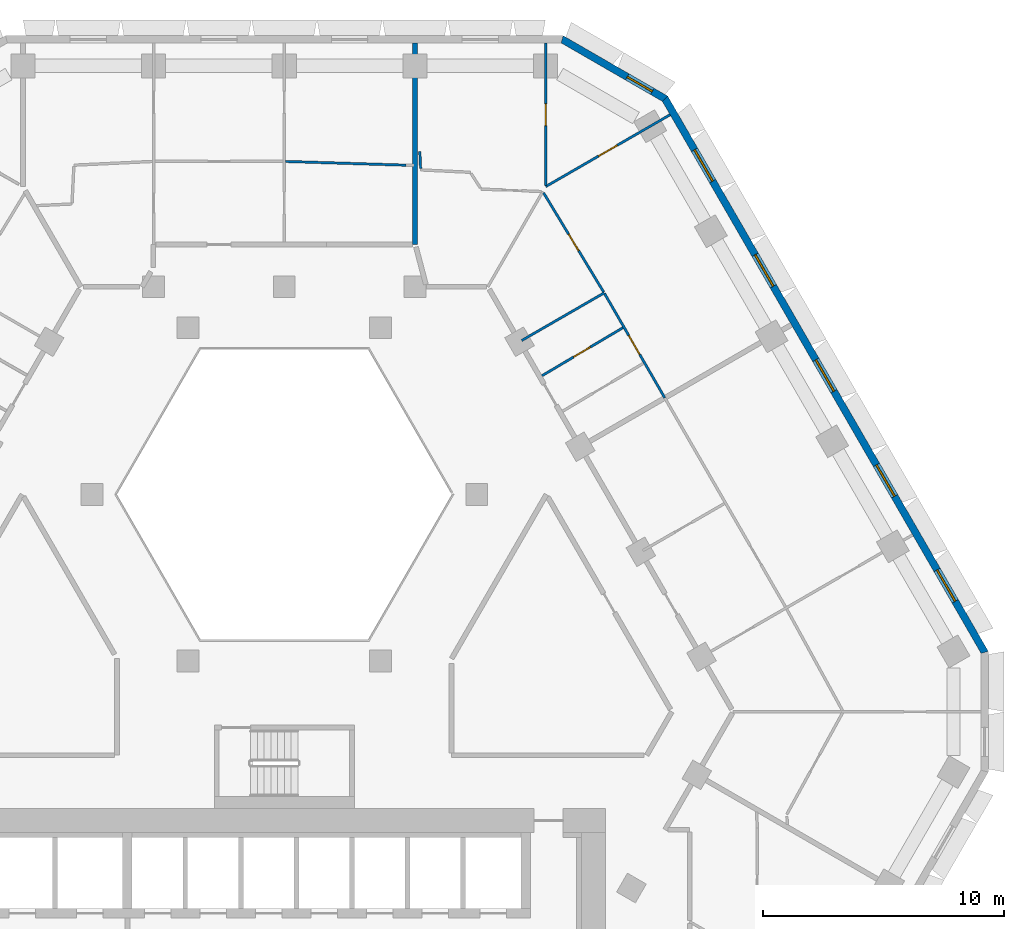
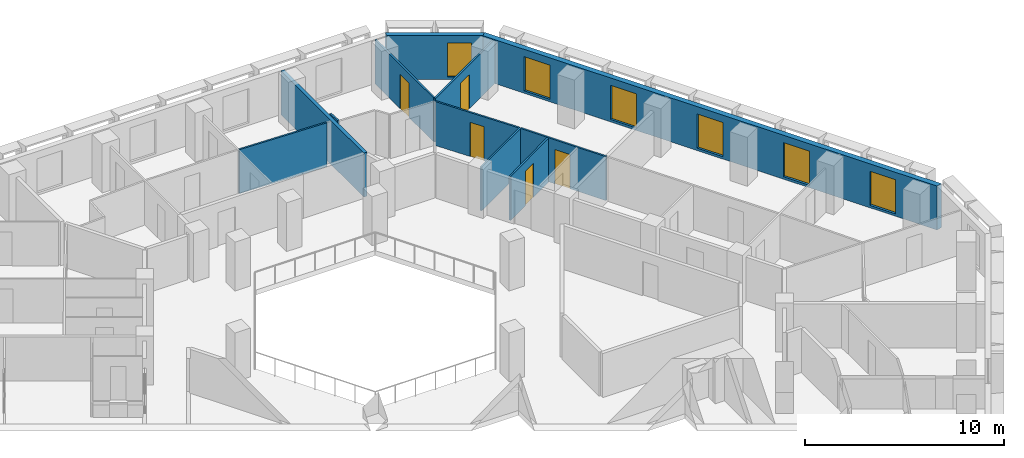
# One storey, part 9 of 15: 11 walls, 6 windows, 5 doors, 11 openings.
"""IFC4 building model written with IfcOpenShell, lengths in metres."""

from ifc_helpers import new_model, si_unit, direction, frame, frame_2d, origin, place, context, subcontext, project, spatial, polyline, rectangle, outline, extrude, material, layer, layer_set, type_object, element, fill, save


model = new_model("IFC4")

# Units and contexts
model_context = context("Model", 3, precision=1e-05, world=origin(), true_north=direction((0.0, 1.0)))
body_context = subcontext(model_context, "Body", "Model", "MODEL_VIEW")
ifc_project = project(units=[si_unit("LENGTHUNIT", "METRE"), si_unit("AREAUNIT", "SQUARE_METRE"), si_unit("VOLUMEUNIT", "CUBIC_METRE"), si_unit("PLANEANGLEUNIT", "RADIAN"), si_unit("MASSUNIT", "GRAM", prefix="KILO")], contexts=[model_context])

# Site, building, storey
site_placement = place(None, origin())
site = spatial("IfcSite", under=ifc_project, at=site_placement, CompositionType="ELEMENT")
building_placement = place(site_placement, origin())
building = spatial("IfcBuilding", under=site, at=building_placement, Name="Beryl Residences", CompositionType="ELEMENT")
storey_placement = place(building_placement, frame((0.0, 0.0, 102.0)))
storey = spatial("IfcBuildingStorey", under=building, at=storey_placement, Name="L31", CompositionType="ELEMENT", Elevation=102.0)

# Wall, openings, windows
ifc_material_1 = material(Name="Composite metal panel with mineral wool insulation")
ifc_layer_1 = layer(ifc_material_1, 0.300048828125)
ifc_layer_set_1 = layer_set([ifc_layer_1], Name="ES1 pale metal composite panel wall 300 mm")
wall_type_1 = type_object("IfcWallType", Name="ES1 pale metal composite panel wall 300 mm", PredefinedType="SOLIDWALL", material=ifc_layer_set_1)
wall_1_placement = place(storey_placement, frame((29.027099609375, 1.425048828125, 0.0), z_axis=(0.0, 0.0, 1.0), x_axis=(-0.500027479704, 0.866009537788, 0.0)))
wall_1 = element("IfcWall", 1, at=wall_1_placement, inside=storey, type_object=wall_type_1, Name="ES1 external wall L31 NE", PredefinedType="SOLIDWALL", context=body_context, shape_type="SweptSolid", body=[
    extrude(outline(polyline([(0.0, -0.14990234375), (26.55859375, -0.14990234375), (26.478271484375, 0.14990234375), (0.080322265625, 0.14990234375), (0.0, -0.14990234375)])), origin(), (0.0, 0.0, 1.0), 2.699951171875),
])
opening_1_placement = place(wall_1_placement, frame((2.48291015625, 0.0, 0.14990234375)))
opening_1 = element("IfcOpeningElement", 2, at=opening_1_placement, cuts=wall_1, Name="Opening W1", PredefinedType="OPENING", context=body_context, shape_type="SweptSolid", body=[
    extrude(rectangle(XDim=1.5, YDim=2.10009765625, at=frame_2d((0.75, 1.050048828125))), frame((0.0, 0.159912109375, 0.0), z_axis=(0.0, -1.0, 0.0), x_axis=(1.0, 0.0, 0.0)), (0.0, 0.0, 1.0), 0.320068359375),
])
opening_2_placement = place(wall_1_placement, frame((7.506103515625, 0.0, 0.14990234375)))
opening_2 = element("IfcOpeningElement", 3, at=opening_2_placement, cuts=wall_1, Name="Opening W1", PredefinedType="OPENING", context=body_context, shape_type="SweptSolid", body=[
    extrude(rectangle(XDim=1.5, YDim=2.10009765625, at=frame_2d((0.75, 1.050048828125))), frame((0.0, 0.159912109375, 0.0), z_axis=(0.0, -1.0, 0.0), x_axis=(1.0, 0.0, 0.0)), (0.0, 0.0, 1.0), 0.320068359375),
])
opening_3_placement = place(wall_1_placement, frame((12.529052734375, 0.0, 0.14990234375)))
opening_3 = element("IfcOpeningElement", 4, at=opening_3_placement, cuts=wall_1, Name="Opening W1", PredefinedType="OPENING", context=body_context, shape_type="SweptSolid", body=[
    extrude(rectangle(XDim=1.5, YDim=2.10009765625, at=frame_2d((0.75, 1.050048828125))), frame((0.0, 0.159912109375, 0.0), z_axis=(0.0, -1.0, 0.0), x_axis=(1.0, 0.0, 0.0)), (0.0, 0.0, 1.0), 0.320068359375),
])
opening_4_placement = place(wall_1_placement, frame((17.552001953125, 0.0, 0.14990234375)))
opening_4 = element("IfcOpeningElement", 5, at=opening_4_placement, cuts=wall_1, Name="Opening W1", PredefinedType="OPENING", context=body_context, shape_type="SweptSolid", body=[
    extrude(rectangle(XDim=1.5, YDim=2.10009765625, at=frame_2d((0.75, 1.050048828125))), frame((0.0, 0.159912109375, 0.0), z_axis=(0.0, -1.0, 0.0), x_axis=(1.0, 0.0, 0.0)), (0.0, 0.0, 1.0), 0.320068359375),
])
opening_5_placement = place(wall_1_placement, frame((22.574951171875, 0.0, 0.14990234375)))
opening_5 = element("IfcOpeningElement", 6, at=opening_5_placement, cuts=wall_1, Name="Opening W1", PredefinedType="OPENING", context=body_context, shape_type="SweptSolid", body=[
    extrude(rectangle(XDim=1.5, YDim=2.10009765625, at=frame_2d((0.75, 1.050048828125))), frame((0.0, 0.159912109375, 0.0), z_axis=(0.0, -1.0, 0.0), x_axis=(1.0, 0.0, 0.0)), (0.0, 0.0, 1.0), 0.320068359375),
])
ifc_material_2 = material(Name="Aluminium and clear glass", Category="aluminium")
window_type_1 = type_object("IfcWindowType", Name="W1 cell window 1500 x 2100 mm", PartitioningType="SINGLE_PANEL", PredefinedType="WINDOW", material=ifc_material_2)
window_1_placement = place(opening_1_placement, origin())
window_1 = element("IfcWindow", 7, at=window_1_placement, inside=storey, type_object=window_type_1, Name="W1 window L31 NE 2", OverallHeight=2.10009765625, OverallWidth=1.5, PartitioningType="SINGLE_PANEL", PredefinedType="WINDOW", context=body_context, shape_type="SweptSolid", body=[
    extrude(rectangle(XDim=1.5, YDim=2.10009765625, at=frame_2d((0.75, 1.050048828125))), frame((0.0, 0.030029296875, 0.0), z_axis=(0.0, -1.0, 0.0), x_axis=(1.0, 0.0, 0.0)), (0.0, 0.0, 1.0), 0.06005859375),
])
fill(opening_1, window_1)
window_2_placement = place(opening_2_placement, origin())
window_2 = element("IfcWindow", 8, at=window_2_placement, inside=storey, type_object=window_type_1, Name="W1 window L31 NE 4", OverallHeight=2.10009765625, OverallWidth=1.5, PartitioningType="SINGLE_PANEL", PredefinedType="WINDOW", context=body_context, shape_type="SweptSolid", body=[
    extrude(rectangle(XDim=1.5, YDim=2.10009765625, at=frame_2d((0.75, 1.050048828125))), frame((0.0, 0.030029296875, 0.0), z_axis=(0.0, -1.0, 0.0), x_axis=(1.0, 0.0, 0.0)), (0.0, 0.0, 1.0), 0.06005859375),
])
fill(opening_2, window_2)
window_3_placement = place(opening_3_placement, origin())
window_3 = element("IfcWindow", 9, at=window_3_placement, inside=storey, type_object=window_type_1, Name="W1 window L31 NE 6", OverallHeight=2.10009765625, OverallWidth=1.5, PartitioningType="SINGLE_PANEL", PredefinedType="WINDOW", context=body_context, shape_type="SweptSolid", body=[
    extrude(rectangle(XDim=1.5, YDim=2.10009765625, at=frame_2d((0.75, 1.050048828125))), frame((0.0, 0.030029296875, 0.0), z_axis=(0.0, -1.0, 0.0), x_axis=(1.0, 0.0, 0.0)), (0.0, 0.0, 1.0), 0.06005859375),
])
fill(opening_3, window_3)
window_4_placement = place(opening_4_placement, origin())
window_4 = element("IfcWindow", 10, at=window_4_placement, inside=storey, type_object=window_type_1, Name="W1 window L31 NE 8", OverallHeight=2.10009765625, OverallWidth=1.5, PartitioningType="SINGLE_PANEL", PredefinedType="WINDOW", context=body_context, shape_type="SweptSolid", body=[
    extrude(rectangle(XDim=1.5, YDim=2.10009765625, at=frame_2d((0.75, 1.050048828125))), frame((0.0, 0.030029296875, 0.0), z_axis=(0.0, -1.0, 0.0), x_axis=(1.0, 0.0, 0.0)), (0.0, 0.0, 1.0), 0.06005859375),
])
fill(opening_4, window_4)
window_5_placement = place(opening_5_placement, origin())
window_5 = element("IfcWindow", 11, at=window_5_placement, inside=storey, type_object=window_type_1, Name="W1 window L31 NE 10", OverallHeight=2.10009765625, OverallWidth=1.5, PartitioningType="SINGLE_PANEL", PredefinedType="WINDOW", context=body_context, shape_type="SweptSolid", body=[
    extrude(rectangle(XDim=1.5, YDim=2.10009765625, at=frame_2d((0.75, 1.050048828125))), frame((0.0, 0.030029296875, 0.0), z_axis=(0.0, -1.0, 0.0), x_axis=(1.0, 0.0, 0.0)), (0.0, 0.0, 1.0), 0.06005859375),
])
fill(opening_5, window_5)

# Wall, opening, window
wall_2_placement = place(storey_placement, frame((15.802001953125, 24.3701171875, 0.0), z_axis=(0.0, 0.0, 1.0), x_axis=(-0.866022959057, 0.500004234368, 0.0)))
wall_2 = element("IfcWall", 12, at=wall_2_placement, inside=storey, type_object=wall_type_1, Name="ES1 external wall L31 NE-N", PredefinedType="SOLIDWALL", context=body_context, shape_type="SweptSolid", body=[
    extrude(outline(polyline([(0.0, -0.14990234375), (5.0, -0.14990234375), (4.919677734375, 0.14990234375), (0.080322265625, 0.14990234375), (0.0, -0.14990234375)])), origin(), (0.0, 0.0, 1.0), 2.699951171875),
])
opening_6_placement = place(wall_2_placement, frame((0.64990234375, 0.0, 0.14990234375)))
opening_6 = element("IfcOpeningElement", 13, at=opening_6_placement, cuts=wall_2, Name="Opening W2", PredefinedType="OPENING", context=body_context, shape_type="SweptSolid", body=[
    extrude(rectangle(XDim=1.199951171875, YDim=2.10009765625, at=frame_2d((0.60009765625, 1.050048828125))), frame((0.0, 0.159912109375, 0.0), z_axis=(0.0, -1.0, 0.0), x_axis=(1.0, 0.0, 0.0)), (0.0, 0.0, 1.0), 0.320068359375),
])
ifc_material_3 = material(Name="Aluminium and clear glass", Category="aluminium")
window_type_2 = type_object("IfcWindowType", Name="W2 chamfer window 1200 x 2100 mm", PartitioningType="SINGLE_PANEL", PredefinedType="WINDOW", material=ifc_material_3)
window_6_placement = place(opening_6_placement, origin())
window_6 = element("IfcWindow", 14, at=window_6_placement, inside=storey, type_object=window_type_2, Name="W2 window L31 NE-N 1", OverallHeight=2.10009765625, OverallWidth=1.199951171875, PartitioningType="SINGLE_PANEL", PredefinedType="WINDOW", context=body_context, shape_type="SweptSolid", body=[
    extrude(rectangle(XDim=1.199951171875, YDim=2.10009765625, at=frame_2d((0.60009765625, 1.050048828125))), frame((0.0, 0.030029296875, 0.0), z_axis=(0.0, -1.0, 0.0), x_axis=(1.0, 0.0, 0.0)), (0.0, 0.0, 1.0), 0.06005859375),
])
fill(opening_6, window_6)

# Wall, opening, door
ifc_material_4 = material(Name="Gypsum board partition on steel studs", Category="steel")
ifc_layer_2 = layer(ifc_material_4, 0.10009765625)
ifc_layer_set_2 = layer_set([ifc_layer_2], Name="PT1 partition 100 mm gypsum board on steel studs")
wall_type_2 = type_object("IfcWallType", Name="PT1 partition 100 mm gypsum board on steel studs", PredefinedType="PARTITIONING", material=ifc_layer_set_2)
wall_3_placement = place(storey_placement, frame((10.738037109375, 20.491943359375, 0.0), z_axis=(0.0, 0.0, 1.0), x_axis=(0.518026330534, -0.85536467128, 0.0)))
wall_3 = element("IfcWall", 15, at=wall_3_placement, inside=storey, type_object=wall_type_2, Name="Wall PT1 L31 002", PredefinedType="PARTITIONING", context=body_context, shape_type="SweptSolid", body=[
    extrude(rectangle(XDim=4.814208984375, YDim=0.10009765625, at=frame_2d((2.4072265625, 0.0))), origin(), (0.0, 0.0, 1.0), 2.699951171875),
])
opening_7_placement = place(wall_3_placement, frame((2.001953125, 0.0, 0.0)))
opening_7 = element("IfcOpeningElement", 16, at=opening_7_placement, cuts=wall_3, Name="Opening D0928", PredefinedType="OPENING", context=body_context, shape_type="SweptSolid", body=[
    extrude(rectangle(XDim=0.800048828125, YDim=2.10009765625, at=frame_2d((0.39990234375, 1.050048828125))), frame((0.0, 0.06005859375, 0.0), z_axis=(0.0, -1.0, 0.0), x_axis=(1.0, 0.0, 0.0)), (0.0, 0.0, 1.0), 0.1201171875),
])
ifc_material_5 = material(Name="Timber door leaf", Category="wood")
door_type_1 = type_object("IfcDoorType", Name="D3 bathroom door 800 x 2100 mm", OperationType="SINGLE_SWING_LEFT", PredefinedType="DOOR", material=ifc_material_5)
door_1_placement = place(opening_7_placement, origin())
door_1 = element("IfcDoor", 17, at=door_1_placement, inside=storey, type_object=door_type_1, Name="Door D0928 L31 001", OperationType="SINGLE_SWING_RIGHT", OverallHeight=2.10009765625, OverallWidth=0.800048828125, PredefinedType="DOOR", context=body_context, shape_type="SweptSolid", body=[
    extrude(rectangle(XDim=0.800048828125, YDim=2.10009765625, at=frame_2d((0.39990234375, 1.050048828125))), frame((0.0, 0.02490234375, 0.0), z_axis=(0.0, -1.0, 0.0), x_axis=(1.0, 0.0, 0.0)), (0.0, 0.0, 1.0), 0.050048828125),
])
fill(opening_7, door_1)

wall_4_placement = place(storey_placement, frame((13.262939453125, 16.322021484375, 0.0), z_axis=(0.0, 0.0, 1.0), x_axis=(0.499946798379, -0.866056117576, 0.0)))
wall_4 = element("IfcWall", 18, at=wall_4_placement, inside=storey, type_object=wall_type_2, Name="Wall PT1 L31 003", PredefinedType="PARTITIONING", context=body_context, shape_type="SweptSolid", body=[
    extrude(rectangle(XDim=4.99267578125, YDim=0.10009765625, at=frame_2d((2.496337890625, 0.0))), origin(), (0.0, 0.0, 1.0), 2.699951171875),
])
opening_8_placement = place(wall_4_placement, frame((2.007080078125, 0.0, 0.0)))
opening_8 = element("IfcOpeningElement", 19, at=opening_8_placement, cuts=wall_4, Name="Opening D0926", PredefinedType="OPENING", context=body_context, shape_type="SweptSolid", body=[
    extrude(rectangle(XDim=0.89990234375, YDim=2.10009765625, at=frame_2d((0.449951171875, 1.050048828125))), frame((0.0, 0.06005859375, 0.0), z_axis=(0.0, -1.0, 0.0), x_axis=(1.0, 0.0, 0.0)), (0.0, 0.0, 1.0), 0.1201171875),
])
ifc_material_6 = material(Name="Timber door leaf", Category="wood")
door_type_2 = type_object("IfcDoorType", Name="D2 room door 900 x 2100 mm", OperationType="SINGLE_SWING_LEFT", PredefinedType="DOOR", material=ifc_material_6)
door_2_placement = place(opening_8_placement, origin())
door_2 = element("IfcDoor", 20, at=door_2_placement, inside=storey, type_object=door_type_2, Name="Door D0926 L31 001", OperationType="SINGLE_SWING_RIGHT", OverallHeight=2.10009765625, OverallWidth=0.89990234375, PredefinedType="DOOR", context=body_context, shape_type="SweptSolid", body=[
    extrude(rectangle(XDim=0.89990234375, YDim=2.10009765625, at=frame_2d((0.449951171875, 1.050048828125))), frame((0.0, 0.02490234375, 0.0), z_axis=(0.0, -1.0, 0.0), x_axis=(1.0, 0.0, 0.0)), (0.0, 0.0, 1.0), 0.050048828125),
])
fill(opening_8, door_2)

# Walls
wall_5_placement = place(storey_placement, frame((5.611083984375, 22.2119140625, 0.0), z_axis=(0.0, 0.0, 1.0), x_axis=(0.048368650834, -0.998829551834, 0.0)))
element("IfcWall", 21, at=wall_5_placement, inside=storey, type_object=wall_type_2, Name="Wall PT1 L31 007", PredefinedType="PARTITIONING", context=body_context, shape_type="SweptSolid", body=[
    extrude(rectangle(XDim=0.7216796875, YDim=0.10009765625, at=frame_2d((0.36083984375, 0.0))), origin(), (0.0, 0.0, 1.0), 2.699951171875),
])
wall_6_placement = place(storey_placement, frame((0.049072265625, 21.7919921875, 0.0), z_axis=(0.0, 0.0, 1.0), x_axis=(0.999517123417, -0.031072817652, 0.0)))
element("IfcWall", 22, at=wall_6_placement, inside=storey, type_object=wall_type_2, Name="Wall PT1 L31 014", PredefinedType="PARTITIONING", context=body_context, shape_type="SweptSolid", body=[
    extrude(rectangle(XDim=4.9892578125, YDim=0.10009765625, at=frame_2d((2.49462890625, 0.0))), origin(), (0.0, 0.0, 1.0), 2.699951171875),
])

# Wall, opening, door
wall_7_placement = place(storey_placement, frame((10.824951171875, 20.805908203125, 0.0), z_axis=(0.0, 0.0, 1.0), x_axis=(0.0, 1.0, 0.0)))
wall_7 = element("IfcWall", 23, at=wall_7_placement, inside=storey, type_object=wall_type_2, Name="Wall PT1 L31 049", PredefinedType="PARTITIONING", context=body_context, shape_type="SweptSolid", body=[
    extrude(rectangle(XDim=5.89404296875, YDim=0.10009765625, at=frame_2d((2.947021484375, 0.0))), origin(), (0.0, 0.0, 1.0), 2.699951171875),
])
opening_9_placement = place(wall_7_placement, frame((2.468017578125, 0.0, 0.0)))
opening_9 = element("IfcOpeningElement", 24, at=opening_9_placement, cuts=wall_7, Name="Opening D0929", PredefinedType="OPENING", context=body_context, shape_type="SweptSolid", body=[
    extrude(rectangle(XDim=0.89990234375, YDim=2.10009765625, at=frame_2d((0.449951171875, 1.050048828125))), frame((0.0, 0.06005859375, 0.0), z_axis=(0.0, -1.0, 0.0), x_axis=(1.0, 0.0, 0.0)), (0.0, 0.0, 1.0), 0.1201171875),
])
door_3_placement = place(opening_9_placement, origin())
door_3 = element("IfcDoor", 25, at=door_3_placement, inside=storey, type_object=door_type_2, Name="Door D0929 L31 001", OperationType="SINGLE_SWING_LEFT", OverallHeight=2.10009765625, OverallWidth=0.89990234375, PredefinedType="DOOR", context=body_context, shape_type="SweptSolid", body=[
    extrude(rectangle(XDim=0.89990234375, YDim=2.10009765625, at=frame_2d((0.449951171875, 1.050048828125))), frame((0.0, 0.02490234375, 0.0), z_axis=(0.0, -1.0, 0.0), x_axis=(1.0, 0.0, 0.0)), (0.0, 0.0, 1.0), 0.050048828125),
])
fill(opening_9, door_3)

# Wall
wall_8_placement = place(storey_placement, frame((9.830078125, 14.375, 0.0), z_axis=(0.0, 0.0, 1.0), x_axis=(0.866076396086, 0.499911668341, 0.0)))
element("IfcWall", 26, at=wall_8_placement, inside=storey, type_object=wall_type_2, Name="Wall PT1 L31 064", PredefinedType="PARTITIONING", context=body_context, shape_type="SweptSolid", body=[
    extrude(rectangle(XDim=3.946533203125, YDim=0.10009765625, at=frame_2d((1.97314453125, 0.0))), origin(), (0.0, 0.0, 1.0), 2.699951171875),
])

# Wall, opening, door
wall_9_placement = place(storey_placement, frame((10.825927734375, 20.75, 0.0), z_axis=(0.0, 0.0, 1.0), x_axis=(0.865986712877, 0.50006700863, 0.0)))
wall_9 = element("IfcWall", 27, at=wall_9_placement, inside=storey, type_object=wall_type_2, Name="Wall PT1 L31 066", PredefinedType="PARTITIONING", context=body_context, shape_type="SweptSolid", body=[
    extrude(rectangle(XDim=5.949462890625, YDim=0.10009765625, at=frame_2d((2.974609375, 0.0))), origin(), (0.0, 0.0, 1.0), 2.699951171875),
])
opening_10_placement = place(wall_9_placement, frame((2.52392578125, 0.0, 0.0)))
opening_10 = element("IfcOpeningElement", 28, at=opening_10_placement, cuts=wall_9, Name="Opening D0927", PredefinedType="OPENING", context=body_context, shape_type="SweptSolid", body=[
    extrude(rectangle(XDim=0.89990234375, YDim=2.10009765625, at=frame_2d((0.449951171875, 1.050048828125))), frame((0.0, 0.06005859375, 0.0), z_axis=(0.0, -1.0, 0.0), x_axis=(1.0, 0.0, 0.0)), (0.0, 0.0, 1.0), 0.1201171875),
])
door_4_placement = place(opening_10_placement, origin())
door_4 = element("IfcDoor", 29, at=door_4_placement, inside=storey, type_object=door_type_2, Name="Door D0927 L31 001", OperationType="SINGLE_SWING_LEFT", OverallHeight=2.10009765625, OverallWidth=0.89990234375, PredefinedType="DOOR", context=body_context, shape_type="SweptSolid", body=[
    extrude(rectangle(XDim=0.89990234375, YDim=2.10009765625, at=frame_2d((0.449951171875, 1.050048828125))), frame((0.0, 0.02490234375, 0.0), z_axis=(0.0, -1.0, 0.0), x_axis=(1.0, 0.0, 0.0)), (0.0, 0.0, 1.0), 0.050048828125),
])
fill(opening_10, door_4)

wall_10_placement = place(storey_placement, frame((10.672119140625, 12.916015625, 0.0), z_axis=(0.0, 0.0, 1.0), x_axis=(0.859981037235, 0.510325989537, 0.0)))
wall_10 = element("IfcWall", 30, at=wall_10_placement, inside=storey, type_object=wall_type_2, Name="Wall PT1 L31 068", PredefinedType="PARTITIONING", context=body_context, shape_type="SweptSolid", body=[
    extrude(rectangle(XDim=3.8974609375, YDim=0.10009765625, at=frame_2d((1.94873046875, 0.0))), origin(), (0.0, 0.0, 1.0), 2.699951171875),
])
opening_11_placement = place(wall_10_placement, frame((1.52294921875, 0.0, 0.0)))
opening_11 = element("IfcOpeningElement", 31, at=opening_11_placement, cuts=wall_10, Name="Opening D0924", PredefinedType="OPENING", context=body_context, shape_type="SweptSolid", body=[
    extrude(rectangle(XDim=0.800048828125, YDim=2.10009765625, at=frame_2d((0.39990234375, 1.050048828125))), frame((0.0, 0.06005859375, 0.0), z_axis=(0.0, -1.0, 0.0), x_axis=(1.0, 0.0, 0.0)), (0.0, 0.0, 1.0), 0.1201171875),
])
door_5_placement = place(opening_11_placement, origin())
door_5 = element("IfcDoor", 32, at=door_5_placement, inside=storey, type_object=door_type_1, Name="Door D0924 L31 001", OperationType="SINGLE_SWING_RIGHT", OverallHeight=2.10009765625, OverallWidth=0.800048828125, PredefinedType="DOOR", context=body_context, shape_type="SweptSolid", body=[
    extrude(rectangle(XDim=0.800048828125, YDim=2.10009765625, at=frame_2d((0.39990234375, 1.050048828125))), frame((0.0, 0.02490234375, 0.0), z_axis=(0.0, -1.0, 0.0), x_axis=(1.0, 0.0, 0.0)), (0.0, 0.0, 1.0), 0.050048828125),
])
fill(opening_11, door_5)

# Wall
ifc_material_7 = material(Name="Acoustic double stud gypsum board wall")
ifc_layer_3 = layer(ifc_material_7, 0.199951171875)
ifc_layer_set_3 = layer_set([ifc_layer_3], Name="PT3 party wall 200 mm acoustic double stud")
wall_type_3 = type_object("IfcWallType", Name="PT3 party wall 200 mm acoustic double stud", PredefinedType="PARTITIONING", material=ifc_layer_set_3)
wall_11_placement = place(storey_placement, frame((5.412109375, 18.34912109375, 0.0), z_axis=(0.0, 0.0, 1.0), x_axis=(0.0, 1.0, 0.0)))
element("IfcWall", 33, at=wall_11_placement, inside=storey, type_object=wall_type_3, Name="Wall PT3 L31 006", PredefinedType="PARTITIONING", context=body_context, shape_type="SweptSolid", body=[
    extrude(rectangle(XDim=8.350830078125, YDim=0.199951171875, at=frame_2d((4.17529296875, 0.0))), origin(), (0.0, 0.0, 1.0), 2.699951171875),
])

save(model, "model.ifc")
